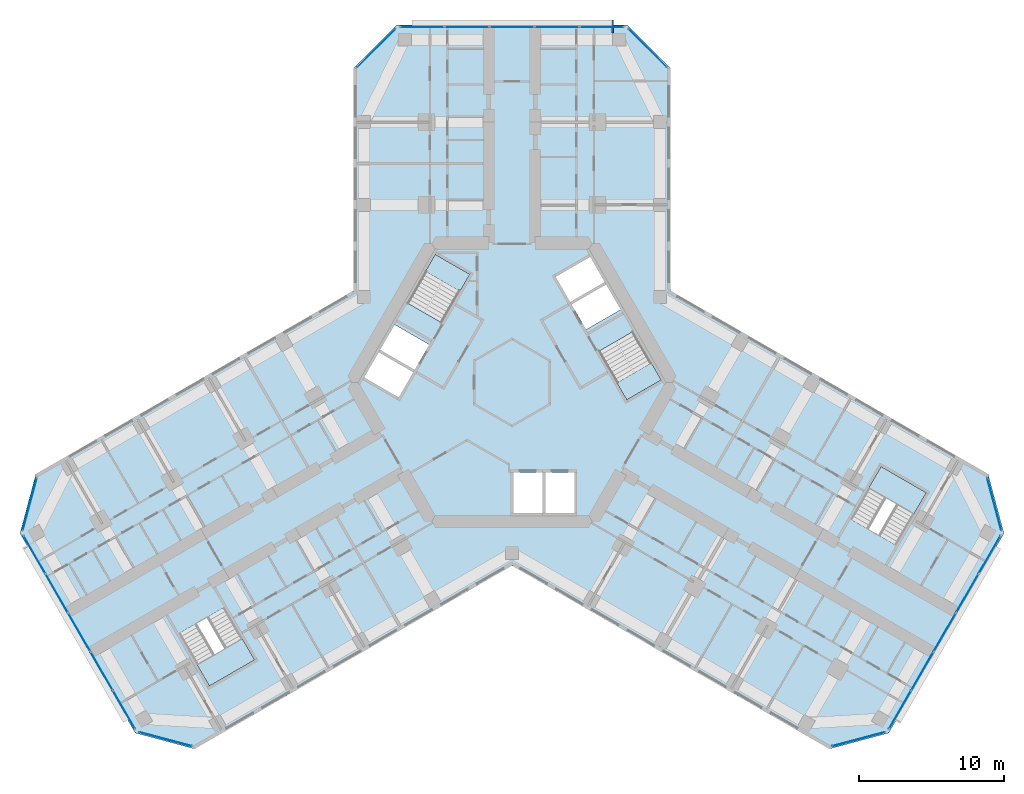
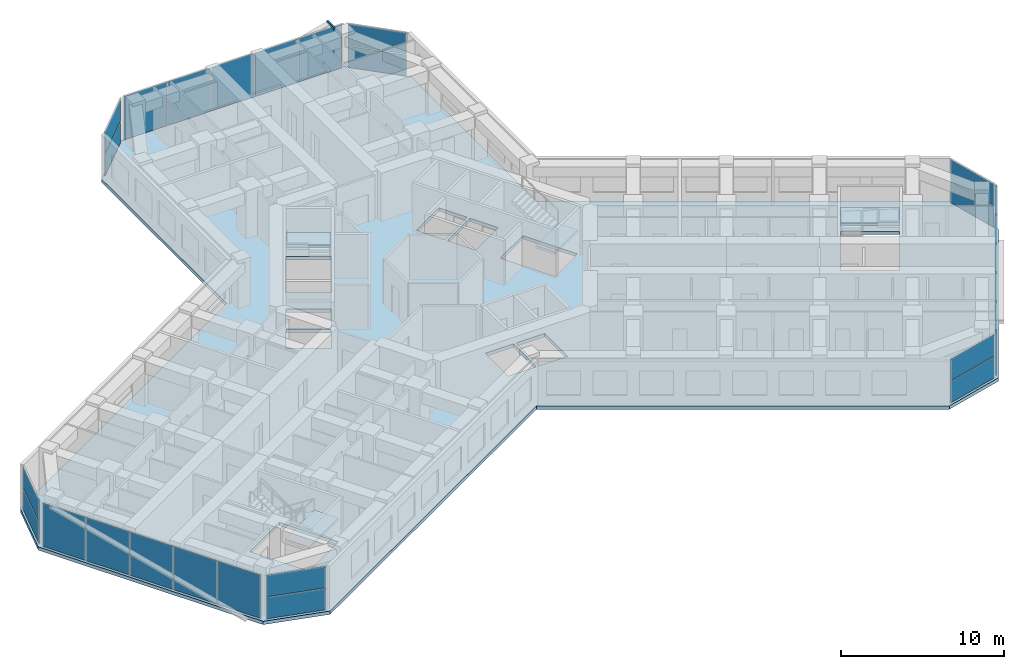
# One storey, part 9 of 19: 27 plates, 5 slabs, 1 member, 13 elements without a shape of their own.
"""IFC4 building model written with IfcOpenShell, lengths in metres."""

import ifcopenshell
import ifcopenshell.guid

model = None  # the IFC model being written
_history = None  # IfcOwnerHistory: only IFC2X3 demands one
_inside = {}  # id of a spatial element -> (the spatial element, [elements in it])
_under = {}  # id of a project, library or spatial element -> (it, [spatial elements below it])
_declared = {}  # id of a project -> (the project, [libraries it declares])
_typed = {}  # id of a type object -> (the type object, [elements of that type])
_made_of = {}  # id of a material, layer set ... -> (it, [elements and type objects made of it])


def new_model(schema):
    """Start an empty IFC model of exactly this schema.

    Asked for "IFC4X3", IfcOpenShell would pick the latest addendum, in which some entities
    have other attributes; the version numbers below select the first issue.
    IFC2X3 requires an IfcOwnerHistory on every rooted entity: one is made here for all.
    """
    global model, _history
    if schema == "IFC4X3":
        model = ifcopenshell.file(schema_version=(4, 3, 0, 0))
    else:
        model = ifcopenshell.file(schema=schema)
    _inside.clear()
    _under.clear()
    _declared.clear()
    _typed.clear()
    _made_of.clear()
    _history = None
    if model.schema == "IFC2X3":
        org = make("IfcOrganization", Name="unknown")
        user = make(
            "IfcPersonAndOrganization",
            ThePerson=make("IfcPerson", FamilyName="unknown"),
            TheOrganization=org,
        )
        app = make(
            "IfcApplication",
            ApplicationDeveloper=org,
            Version="unknown",
            ApplicationFullName="unknown",
            ApplicationIdentifier="unknown",
        )
        _history = make(
            "IfcOwnerHistory",
            OwningUser=user,
            OwningApplication=app,
            ChangeAction="ADDED",
            CreationDate=0,
        )
    return model


def make(cls, **values):
    """One entity of the class cls with the attributes given. An attribute that is None is left unset."""
    return model.create_entity(
        cls, **{name: value for name, value in values.items() if value is not None}
    )


def rooted(cls, **values):
    """An entity with a GlobalId (a new one), such as an element, a storey or a relation."""
    return make(cls, GlobalId=ifcopenshell.guid.new(), OwnerHistory=_history, **values)


def si_unit(unit_type, name, prefix=None):
    """IfcSIUnit, for example si_unit("LENGTHUNIT", "METRE", prefix="MILLI")."""
    return make("IfcSIUnit", UnitType=unit_type, Prefix=prefix, Name=name)


def assignment(units):
    """IfcUnitAssignment: the units of a project."""
    return None if units is None else make("IfcUnitAssignment", Units=units)


def point(xyz):
    """IfcCartesianPoint."""
    return None if xyz is None else make("IfcCartesianPoint", Coordinates=xyz)


def direction(xyz):
    """IfcDirection."""
    return None if xyz is None else make("IfcDirection", DirectionRatios=xyz)


def frame(location, z_axis=None, x_axis=None):
    """IfcAxis2Placement3D, a coordinate frame: its origin and axes. An axis left out is left unset."""
    return make(
        "IfcAxis2Placement3D",
        Location=point(location),
        Axis=direction(z_axis),
        RefDirection=direction(x_axis),
    )


def frame_2d(location, x_axis=None):
    """IfcAxis2Placement2D, a coordinate frame in the plane: its origin and x axis."""
    return make(
        "IfcAxis2Placement2D", Location=point(location), RefDirection=direction(x_axis)
    )


def origin():
    """The frame at (0, 0, 0) with its axes left unset."""
    return frame((0.0, 0.0, 0.0))


def origin_2d():
    """The frame at (0, 0) in the plane with its x axis left unset."""
    return frame_2d((0.0, 0.0))


def place(relative_to, where):
    """IfcLocalPlacement: puts the frame where relative to a parent placement (None: the world)."""
    return make(
        "IfcLocalPlacement", PlacementRelTo=relative_to, RelativePlacement=where
    )


def context(
    kind, dimensions, precision=None, world=None, true_north=None, identifier=None
):
    """IfcGeometricRepresentationContext, for example the 3D "Model" context."""
    return make(
        "IfcGeometricRepresentationContext",
        ContextIdentifier=identifier,
        ContextType=kind,
        CoordinateSpaceDimension=dimensions,
        Precision=precision,
        WorldCoordinateSystem=world,
        TrueNorth=true_north,
    )


def subcontext(parent, identifier, kind, view, scale=None):
    """IfcGeometricRepresentationSubContext, for example "Body" below "Model"."""
    return make(
        "IfcGeometricRepresentationSubContext",
        ContextIdentifier=identifier,
        ContextType=kind,
        ParentContext=parent,
        TargetScale=scale,
        TargetView=view,
    )


def project(units=None, contexts=None):
    """IfcProject with its units and contexts."""
    return rooted(
        "IfcProject",
        Name="project",
        RepresentationContexts=contexts,
        UnitsInContext=assignment(units),
    )


def spatial(cls, under=None, at=None, **own):
    """A site, building, storey or space (cls), placed at a placement, below another one or the project."""
    s = rooted(cls, ObjectPlacement=at, **own)
    if under is not None:
        _under.setdefault(under.id(), (under, []))[1].append(s)
    return s


def polyline(points):
    """IfcPolyline through the points."""
    return make("IfcPolyline", Points=[point(p) for p in points])


def profile(cls, at=None, kind="AREA", **sizes):
    """A parametric profile (cls). Its sizes go by their IFC names, for example OverallWidth=200.0."""
    return make(cls, ProfileType=kind, Position=at, **sizes)


def rectangle(**sizes):
    """IfcRectangleProfileDef."""
    return profile("IfcRectangleProfileDef", **sizes)


def hollow_rectangle(**sizes):
    """IfcRectangleHollowProfileDef."""
    return profile("IfcRectangleHollowProfileDef", **sizes)


def outline(outer, holes=None, kind="AREA"):
    """IfcArbitraryClosedProfileDef: a profile drawn as a closed curve; with holes, ...WithVoids."""
    if holes is None:
        return make("IfcArbitraryClosedProfileDef", ProfileType=kind, OuterCurve=outer)
    return make(
        "IfcArbitraryProfileDefWithVoids",
        ProfileType=kind,
        OuterCurve=outer,
        InnerCurves=holes,
    )


def extrude(swept, where, along, depth):
    """IfcExtrudedAreaSolid: the profile swept, set in the frame where, extruded along a direction by depth."""
    return make(
        "IfcExtrudedAreaSolid",
        SweptArea=swept,
        Position=where,
        ExtrudedDirection=direction(along),
        Depth=depth,
    )


def shape(context_of_items, identifier, shape_type, items):
    """IfcShapeRepresentation: the items that make up one representation, for example the "Body"."""
    return make(
        "IfcShapeRepresentation",
        ContextOfItems=context_of_items,
        RepresentationIdentifier=identifier,
        RepresentationType=shape_type,
        Items=items,
    )


def material(Name=None, Category=None):
    """IfcMaterial."""
    return make("IfcMaterial", Name=Name, Category=Category)


def layer(
    of_material, thickness, ventilated=None, Name=None, Category=None, Priority=None
):
    """IfcMaterialLayer: one layer of a wall or slab, of a material (None: an air gap)."""
    return make(
        "IfcMaterialLayer",
        Material=of_material,
        LayerThickness=thickness,
        IsVentilated=ventilated,
        Name=Name,
        Category=Category,
        Priority=Priority,
    )


def layer_set(layers, Name=None):
    """IfcMaterialLayerSet."""
    return make("IfcMaterialLayerSet", MaterialLayers=layers, LayerSetName=Name)


def material_profile(
    of_material, cross_section, Name=None, Category=None, Priority=None
):
    """IfcMaterialProfile: a cross section and its material."""
    return make(
        "IfcMaterialProfile",
        Name=Name,
        Material=of_material,
        Profile=cross_section,
        Priority=Priority,
        Category=Category,
    )


def profile_set(profiles, Name=None, composite=None):
    """IfcMaterialProfileSet."""
    return make(
        "IfcMaterialProfileSet",
        Name=Name,
        MaterialProfiles=profiles,
        CompositeProfile=composite,
    )


def made_of(thing, what):
    """Note that an element or type object is made of a material, layer set ...; save() writes the relation."""
    if what is not None:
        _made_of.setdefault(what.id(), (what, []))[1].append(thing)
    return thing


def type_object(cls, material=None, **own):
    """A type object (cls), such as IfcWallType, which elements share."""
    return made_of(rooted(cls, **own), material)


def element(
    cls,
    number,
    at=None,
    inside=None,
    cuts=None,
    type_object=None,
    material=None,
    context=None,
    identifier="Body",
    shape_type=None,
    held_by="IfcProductDefinitionShape",
    body=None,
    shapes=None,
    **own,
):
    """One element of the class cls, such as IfcWall. Its Tag is "e" and its number.

    at: its placement. inside: the storey or other place that contains it. cuts: it is an
    opening in that element (IfcRelVoidsElement). A single representation is given by context,
    identifier, shape_type and body (its items); several are given by shapes. held_by: the class
    of the entity that holds the representations. save() writes the other relations.
    """
    e = rooted(cls, Tag="e%d" % number, ObjectPlacement=at, **own)
    if body is not None:
        shapes = [shape(context, identifier, shape_type, body)]
    if shapes is not None:
        e.Representation = make(held_by, Representations=shapes)
    if inside is not None:
        _inside.setdefault(inside.id(), (inside, []))[1].append(e)
    if cuts is not None:
        rooted(
            "IfcRelVoidsElement", RelatingBuildingElement=cuts, RelatedOpeningElement=e
        )
    if type_object is not None:
        _typed.setdefault(type_object.id(), (type_object, []))[1].append(e)
    return made_of(e, material)


def aggregate(whole, parts):
    """IfcRelAggregates: a whole, such as a stair, and the parts it consists of."""
    return rooted("IfcRelAggregates", RelatingObject=whole, RelatedObjects=parts)


def save(model, path):
    """Write the relations noted so far, then the file.

    IfcRelAggregates (storeys below a building ...), IfcRelContainedInSpatialStructure (elements
    in a storey), IfcRelDefinesByType, IfcRelAssociatesMaterial and IfcRelDeclares: one each for
    every whole, place, type object, material and project.
    """
    for whole, parts in _under.values():
        aggregate(whole, parts)
    for where, things in _inside.values():
        rooted(
            "IfcRelContainedInSpatialStructure",
            RelatedElements=things,
            RelatingStructure=where,
        )
    for kind, things in _typed.values():
        rooted("IfcRelDefinesByType", RelatedObjects=things, RelatingType=kind)
    for what, things in _made_of.values():
        rooted("IfcRelAssociatesMaterial", RelatedObjects=things, RelatingMaterial=what)
    for by, libraries in _declared.values():
        rooted("IfcRelDeclares", RelatingContext=by, RelatedDefinitions=libraries)
    model.write(path)


model = new_model("IFC4")

# Units and contexts
model_context = context("Model", 3, precision=1e-05, world=origin(), true_north=direction((0.0, 1.0)))
body_context = subcontext(model_context, "Body", "Model", "MODEL_VIEW")
ifc_project = project(units=[si_unit("LENGTHUNIT", "METRE"), si_unit("AREAUNIT", "SQUARE_METRE"), si_unit("VOLUMEUNIT", "CUBIC_METRE"), si_unit("PLANEANGLEUNIT", "RADIAN"), si_unit("MASSUNIT", "GRAM", prefix="KILO")], contexts=[model_context])

# Site, building, storey
site_placement = place(None, origin())
site = spatial("IfcSite", under=ifc_project, at=site_placement, CompositionType="ELEMENT")
building_placement = place(site_placement, origin())
building = spatial("IfcBuilding", under=site, at=building_placement, Name="Kosmar Iwan School Tower", CompositionType="ELEMENT")
storey_placement = place(building_placement, frame((0.0, 0.0, 134.60009765625)))
storey = spatial("IfcBuildingStorey", under=building, at=storey_placement, Name="L33", CompositionType="ELEMENT", Elevation=134.60009765625)

# Member
ifc_material_1 = material(Name="Steel S355", Category="steel")
ifc_material_profile = material_profile(ifc_material_1, hollow_rectangle(XDim=0.10009765625, YDim=0.199951171875, WallThickness=0.008056640625, at=origin_2d()), Name="RHS 200x100x8")
ifc_profile_set = profile_set([ifc_material_profile], Name="Steel S355")
member_type = type_object("IfcMemberType", Name="Fin bracket RHS 200x100", PredefinedType="USERDEFINED", material=ifc_profile_set)
member_placement = place(storey_placement, frame((6.949951171875, 24.10009765625, 3.474853515625), z_axis=(0.0, 1.0, 0.0), x_axis=(-1.0, 0.0, 0.0)))
element("IfcMember", 1, at=member_placement, inside=storey, type_object=member_type, Name="Fin bracket L34", ObjectType="FIN BRACKET", PredefinedType="USERDEFINED", context=body_context, shape_type="SweptSolid", body=[
    extrude(hollow_rectangle(XDim=0.10009765625, YDim=0.199951171875, WallThickness=0.008056640625, at=origin_2d()), origin(), (0.0, 0.0, 1.0), 0.89990234375),
])

# Curtain wall, plates
ifc_material_2 = material(Name="Dark glass in black aluminium frame", Category="aluminium")
curtain_wall_type_1 = type_object("IfcCurtainWallType", Name="Chamfer curtain wall dark glass", PredefinedType="USERDEFINED", material=ifc_material_2)
curtain_wall_1_placement = place(storey_placement, origin())
curtain_wall_1 = element("IfcCurtainWall", 2, at=curtain_wall_1_placement, inside=storey, type_object=curtain_wall_type_1, Name="Curtain wall L33-F02", ObjectType="FACETED CURTAIN WALL", PredefinedType="USERDEFINED")
ifc_material_3 = material(Name="Dark glass", Category="glass")
ifc_layer_1 = layer(ifc_material_3, 0.028076171875)
ifc_layer_set_1 = layer_set([ifc_layer_1], Name="Dark glass panel 28")
plate_type = type_object("IfcPlateType", Name="Dark glass panel 28", PredefinedType="CURTAIN_PANEL", material=ifc_layer_set_1)
plate_1_placement = place(storey_placement, frame((23.908203125, -24.61328125, 0.059814453125), z_axis=(0.0, 0.0, 1.0), x_axis=(0.965925875495, 0.258818861462, 0.0)))
plate_1 = element("IfcPlate", 3, at=plate_1_placement, type_object=plate_type, Name="CW2 panel 1.1", PredefinedType="CURTAIN_PANEL", context=body_context, shape_type="SweptSolid", body=[
    extrude(rectangle(XDim=3.718994140625, YDim=0.028076171875, at=origin_2d()), origin(), (0.0, 0.0, 1.0), 1.5849609375),
])
plate_2_placement = place(storey_placement, frame((23.908203125, -24.61328125, 1.704833984375), z_axis=(0.0, 0.0, 1.0), x_axis=(0.965925875495, 0.258818861462, 0.0)))
plate_2 = element("IfcPlate", 4, at=plate_2_placement, type_object=plate_type, Name="CW2 panel 1.2", PredefinedType="CURTAIN_PANEL", context=body_context, shape_type="SweptSolid", body=[
    extrude(rectangle(XDim=3.718994140625, YDim=0.028076171875, at=origin_2d()), origin(), (0.0, 0.0, 1.0), 1.5849609375),
])
aggregate(curtain_wall_1, [plate_1, plate_2])

ifc_material_4 = material(Name="Dark glass in black aluminium frame", Category="aluminium")
curtain_wall_type_2 = type_object("IfcCurtainWallType", Name="Tower curtain wall dark glass", PredefinedType="USERDEFINED", material=ifc_material_4)
curtain_wall_2_placement = place(storey_placement, origin())
curtain_wall_2 = element("IfcCurtainWall", 5, at=curtain_wall_2_placement, inside=storey, type_object=curtain_wall_type_2, Name="Curtain wall L33-F03", ObjectType="UNITISED CURTAIN WALL", PredefinedType="USERDEFINED")
plate_3_placement = place(storey_placement, frame((26.764404296875, -22.592529296875, 0.059814453125), z_axis=(0.0, 0.0, 1.0), x_axis=(0.499999997325, 0.866025405329, 0.0)))
plate_3 = element("IfcPlate", 6, at=plate_3_placement, type_object=plate_type, Name="CW1 panel 1.1", PredefinedType="CURTAIN_PANEL", context=body_context, shape_type="SweptSolid", body=[
    extrude(rectangle(XDim=3.00927734375, YDim=0.028076171875, at=origin_2d()), origin(), (0.0, 0.0, 1.0), 3.22998046875),
])
plate_4_placement = place(storey_placement, frame((28.306640625, -19.921630859375, 0.059814453125), z_axis=(0.0, 0.0, 1.0), x_axis=(0.499999997325, 0.866025405329, 0.0)))
plate_4 = element("IfcPlate", 7, at=plate_4_placement, type_object=plate_type, Name="CW1 panel 2.1", PredefinedType="CURTAIN_PANEL", context=body_context, shape_type="SweptSolid", body=[
    extrude(rectangle(XDim=3.039306640625, YDim=0.028076171875, at=origin_2d()), origin(), (0.0, 0.0, 1.0), 3.22998046875),
])
plate_5_placement = place(storey_placement, frame((29.856201171875, -17.237548828125, 0.059814453125), z_axis=(0.0, 0.0, 1.0), x_axis=(0.499999997325, 0.866025405329, 0.0)))
plate_5 = element("IfcPlate", 8, at=plate_5_placement, type_object=plate_type, Name="CW1 panel 3.1", PredefinedType="CURTAIN_PANEL", context=body_context, shape_type="SweptSolid", body=[
    extrude(rectangle(XDim=3.039306640625, YDim=0.028076171875, at=origin_2d()), origin(), (0.0, 0.0, 1.0), 3.22998046875),
])
plate_6_placement = place(storey_placement, frame((31.40576171875, -14.553466796875, 0.059814453125), z_axis=(0.0, 0.0, 1.0), x_axis=(0.499999997325, 0.866025405329, 0.0)))
plate_6 = element("IfcPlate", 9, at=plate_6_placement, type_object=plate_type, Name="CW1 panel 4.1", PredefinedType="CURTAIN_PANEL", context=body_context, shape_type="SweptSolid", body=[
    extrude(rectangle(XDim=3.039306640625, YDim=0.028076171875, at=origin_2d()), origin(), (0.0, 0.0, 1.0), 3.22998046875),
])
plate_7_placement = place(storey_placement, frame((32.947998046875, -11.88232421875, 0.059814453125), z_axis=(0.0, 0.0, 1.0), x_axis=(0.499999997325, 0.866025405329, 0.0)))
plate_7 = element("IfcPlate", 10, at=plate_7_placement, type_object=plate_type, Name="CW1 panel 5.1", PredefinedType="CURTAIN_PANEL", context=body_context, shape_type="SweptSolid", body=[
    extrude(rectangle(XDim=3.00927734375, YDim=0.028076171875, at=origin_2d()), origin(), (0.0, 0.0, 1.0), 3.22998046875),
])
aggregate(curtain_wall_2, [plate_3, plate_4, plate_5, plate_6, plate_7])

curtain_wall_3_placement = place(storey_placement, origin())
curtain_wall_3 = element("IfcCurtainWall", 11, at=curtain_wall_3_placement, inside=storey, type_object=curtain_wall_type_1, Name="Curtain wall L33-F04", ObjectType="FACETED CURTAIN WALL", PredefinedType="USERDEFINED")
plate_8_placement = place(storey_placement, frame((33.269775390625, -8.3984375, 0.059814453125), z_axis=(0.0, 0.0, 1.0), x_axis=(-0.258818861462, 0.965925875495, 0.0)))
plate_8 = element("IfcPlate", 12, at=plate_8_placement, type_object=plate_type, Name="CW2 panel 1.1", PredefinedType="CURTAIN_PANEL", context=body_context, shape_type="SweptSolid", body=[
    extrude(rectangle(XDim=3.718994140625, YDim=0.028076171875, at=origin_2d()), origin(), (0.0, 0.0, 1.0), 1.5849609375),
])
plate_9_placement = place(storey_placement, frame((33.269775390625, -8.3984375, 1.704833984375), z_axis=(0.0, 0.0, 1.0), x_axis=(-0.258818861462, 0.965925875495, 0.0)))
plate_9 = element("IfcPlate", 13, at=plate_9_placement, type_object=plate_type, Name="CW2 panel 1.2", PredefinedType="CURTAIN_PANEL", context=body_context, shape_type="SweptSolid", body=[
    extrude(rectangle(XDim=3.718994140625, YDim=0.028076171875, at=origin_2d()), origin(), (0.0, 0.0, 1.0), 1.5849609375),
])
aggregate(curtain_wall_3, [plate_8, plate_9])

curtain_wall_4_placement = place(storey_placement, origin())
curtain_wall_4 = element("IfcCurtainWall", 14, at=curtain_wall_4_placement, inside=storey, type_object=curtain_wall_type_1, Name="Curtain wall L33-F07", ObjectType="FACETED CURTAIN WALL", PredefinedType="USERDEFINED")
plate_10_placement = place(storey_placement, frame((9.361572265625, 23.0615234375, 0.059814453125), z_axis=(0.0, 0.0, 1.0), x_axis=(-0.707106781187, 0.707106781187, 0.0)))
plate_10 = element("IfcPlate", 15, at=plate_10_placement, type_object=plate_type, Name="CW2 panel 1.1", PredefinedType="CURTAIN_PANEL", context=body_context, shape_type="SweptSolid", body=[
    extrude(rectangle(XDim=3.718994140625, YDim=0.028076171875, at=origin_2d()), origin(), (0.0, 0.0, 1.0), 1.5849609375),
])
plate_11_placement = place(storey_placement, frame((9.361572265625, 23.0615234375, 1.704833984375), z_axis=(0.0, 0.0, 1.0), x_axis=(-0.707106781187, 0.707106781187, 0.0)))
plate_11 = element("IfcPlate", 16, at=plate_11_placement, type_object=plate_type, Name="CW2 panel 1.2", PredefinedType="CURTAIN_PANEL", context=body_context, shape_type="SweptSolid", body=[
    extrude(rectangle(XDim=3.718994140625, YDim=0.028076171875, at=origin_2d()), origin(), (0.0, 0.0, 1.0), 1.5849609375),
])
aggregate(curtain_wall_4, [plate_10, plate_11])

curtain_wall_5_placement = place(storey_placement, origin())
curtain_wall_5 = element("IfcCurtainWall", 17, at=curtain_wall_5_placement, inside=storey, type_object=curtain_wall_type_2, Name="Curtain wall L33-F08", ObjectType="UNITISED CURTAIN WALL", PredefinedType="USERDEFINED")
plate_12_placement = place(storey_placement, frame((6.18359375, 24.52490234375, 0.059814453125), z_axis=(0.0, 0.0, 1.0), x_axis=(-1.0, 0.0, 0.0)))
plate_12 = element("IfcPlate", 18, at=plate_12_placement, type_object=plate_type, Name="CW1 panel 1.1", PredefinedType="CURTAIN_PANEL", context=body_context, shape_type="SweptSolid", body=[
    extrude(rectangle(XDim=3.00927734375, YDim=0.028076171875, at=origin_2d()), origin(), (0.0, 0.0, 1.0), 3.22998046875),
])
plate_13_placement = place(storey_placement, frame((3.099365234375, 24.52490234375, 0.059814453125), z_axis=(0.0, 0.0, 1.0), x_axis=(-1.0, 0.0, 0.0)))
plate_13 = element("IfcPlate", 19, at=plate_13_placement, type_object=plate_type, Name="CW1 panel 2.1", PredefinedType="CURTAIN_PANEL", context=body_context, shape_type="SweptSolid", body=[
    extrude(rectangle(XDim=3.039306640625, YDim=0.028076171875, at=origin_2d()), origin(), (0.0, 0.0, 1.0), 3.22998046875),
])
plate_14_placement = place(storey_placement, frame((0.0, 24.52490234375, 0.059814453125), z_axis=(0.0, 0.0, 1.0), x_axis=(-1.0, 0.0, 0.0)))
plate_14 = element("IfcPlate", 20, at=plate_14_placement, type_object=plate_type, Name="CW1 panel 3.1", PredefinedType="CURTAIN_PANEL", context=body_context, shape_type="SweptSolid", body=[
    extrude(rectangle(XDim=3.039306640625, YDim=0.028076171875, at=origin_2d()), origin(), (0.0, 0.0, 1.0), 3.22998046875),
])
plate_15_placement = place(storey_placement, frame((-3.099365234375, 24.52490234375, 0.059814453125), z_axis=(0.0, 0.0, 1.0), x_axis=(-1.0, 0.0, 0.0)))
plate_15 = element("IfcPlate", 21, at=plate_15_placement, type_object=plate_type, Name="CW1 panel 4.1", PredefinedType="CURTAIN_PANEL", context=body_context, shape_type="SweptSolid", body=[
    extrude(rectangle(XDim=3.039306640625, YDim=0.028076171875, at=origin_2d()), origin(), (0.0, 0.0, 1.0), 3.22998046875),
])
plate_16_placement = place(storey_placement, frame((-6.18359375, 24.52490234375, 0.059814453125), z_axis=(0.0, 0.0, 1.0), x_axis=(-1.0, 0.0, 0.0)))
plate_16 = element("IfcPlate", 22, at=plate_16_placement, type_object=plate_type, Name="CW1 panel 5.1", PredefinedType="CURTAIN_PANEL", context=body_context, shape_type="SweptSolid", body=[
    extrude(rectangle(XDim=3.00927734375, YDim=0.028076171875, at=origin_2d()), origin(), (0.0, 0.0, 1.0), 3.22998046875),
])
aggregate(curtain_wall_5, [plate_12, plate_13, plate_14, plate_15, plate_16])

curtain_wall_6_placement = place(storey_placement, origin())
curtain_wall_6 = element("IfcCurtainWall", 23, at=curtain_wall_6_placement, inside=storey, type_object=curtain_wall_type_1, Name="Curtain wall L33-F09", ObjectType="FACETED CURTAIN WALL", PredefinedType="USERDEFINED")
plate_17_placement = place(storey_placement, frame((-9.361572265625, 23.0615234375, 0.059814453125), z_axis=(0.0, 0.0, 1.0), x_axis=(-0.707106781187, -0.707106781187, 0.0)))
plate_17 = element("IfcPlate", 24, at=plate_17_placement, type_object=plate_type, Name="CW2 panel 1.1", PredefinedType="CURTAIN_PANEL", context=body_context, shape_type="SweptSolid", body=[
    extrude(rectangle(XDim=3.718994140625, YDim=0.028076171875, at=origin_2d()), origin(), (0.0, 0.0, 1.0), 1.5849609375),
])
plate_18_placement = place(storey_placement, frame((-9.361572265625, 23.0615234375, 1.704833984375), z_axis=(0.0, 0.0, 1.0), x_axis=(-0.707106781187, -0.707106781187, 0.0)))
plate_18 = element("IfcPlate", 25, at=plate_18_placement, type_object=plate_type, Name="CW2 panel 1.2", PredefinedType="CURTAIN_PANEL", context=body_context, shape_type="SweptSolid", body=[
    extrude(rectangle(XDim=3.718994140625, YDim=0.028076171875, at=origin_2d()), origin(), (0.0, 0.0, 1.0), 1.5849609375),
])
aggregate(curtain_wall_6, [plate_17, plate_18])

curtain_wall_7_placement = place(storey_placement, origin())
curtain_wall_7 = element("IfcCurtainWall", 26, at=curtain_wall_7_placement, inside=storey, type_object=curtain_wall_type_1, Name="Curtain wall L33-F12", ObjectType="FACETED CURTAIN WALL", PredefinedType="USERDEFINED")
plate_19_placement = place(storey_placement, frame((-33.269775390625, -8.3984375, 0.059814453125), z_axis=(0.0, 0.0, 1.0), x_axis=(-0.258818861462, -0.965925875495, 0.0)))
plate_19 = element("IfcPlate", 27, at=plate_19_placement, type_object=plate_type, Name="CW2 panel 1.1", PredefinedType="CURTAIN_PANEL", context=body_context, shape_type="SweptSolid", body=[
    extrude(rectangle(XDim=3.718994140625, YDim=0.028076171875, at=origin_2d()), origin(), (0.0, 0.0, 1.0), 1.5849609375),
])
plate_20_placement = place(storey_placement, frame((-33.269775390625, -8.3984375, 1.704833984375), z_axis=(0.0, 0.0, 1.0), x_axis=(-0.258818861462, -0.965925875495, 0.0)))
plate_20 = element("IfcPlate", 28, at=plate_20_placement, type_object=plate_type, Name="CW2 panel 1.2", PredefinedType="CURTAIN_PANEL", context=body_context, shape_type="SweptSolid", body=[
    extrude(rectangle(XDim=3.718994140625, YDim=0.028076171875, at=origin_2d()), origin(), (0.0, 0.0, 1.0), 1.5849609375),
])
aggregate(curtain_wall_7, [plate_19, plate_20])

curtain_wall_8_placement = place(storey_placement, origin())
curtain_wall_8 = element("IfcCurtainWall", 29, at=curtain_wall_8_placement, inside=storey, type_object=curtain_wall_type_2, Name="Curtain wall L33-F13", ObjectType="UNITISED CURTAIN WALL", PredefinedType="USERDEFINED")
plate_21_placement = place(storey_placement, frame((-32.947998046875, -11.88232421875, 0.059814453125), z_axis=(0.0, 0.0, 1.0), x_axis=(0.499999997325, -0.866025405329, 0.0)))
plate_21 = element("IfcPlate", 30, at=plate_21_placement, type_object=plate_type, Name="CW1 panel 1.1", PredefinedType="CURTAIN_PANEL", context=body_context, shape_type="SweptSolid", body=[
    extrude(rectangle(XDim=3.00927734375, YDim=0.028076171875, at=origin_2d()), origin(), (0.0, 0.0, 1.0), 3.22998046875),
])
plate_22_placement = place(storey_placement, frame((-31.40576171875, -14.553466796875, 0.059814453125), z_axis=(0.0, 0.0, 1.0), x_axis=(0.499999997325, -0.866025405329, 0.0)))
plate_22 = element("IfcPlate", 31, at=plate_22_placement, type_object=plate_type, Name="CW1 panel 2.1", PredefinedType="CURTAIN_PANEL", context=body_context, shape_type="SweptSolid", body=[
    extrude(rectangle(XDim=3.039306640625, YDim=0.028076171875, at=origin_2d()), origin(), (0.0, 0.0, 1.0), 3.22998046875),
])
plate_23_placement = place(storey_placement, frame((-29.856201171875, -17.237548828125, 0.059814453125), z_axis=(0.0, 0.0, 1.0), x_axis=(0.499999997325, -0.866025405329, 0.0)))
plate_23 = element("IfcPlate", 32, at=plate_23_placement, type_object=plate_type, Name="CW1 panel 3.1", PredefinedType="CURTAIN_PANEL", context=body_context, shape_type="SweptSolid", body=[
    extrude(rectangle(XDim=3.039306640625, YDim=0.028076171875, at=origin_2d()), origin(), (0.0, 0.0, 1.0), 3.22998046875),
])
plate_24_placement = place(storey_placement, frame((-28.306640625, -19.921630859375, 0.059814453125), z_axis=(0.0, 0.0, 1.0), x_axis=(0.499999997325, -0.866025405329, 0.0)))
plate_24 = element("IfcPlate", 33, at=plate_24_placement, type_object=plate_type, Name="CW1 panel 4.1", PredefinedType="CURTAIN_PANEL", context=body_context, shape_type="SweptSolid", body=[
    extrude(rectangle(XDim=3.039306640625, YDim=0.028076171875, at=origin_2d()), origin(), (0.0, 0.0, 1.0), 3.22998046875),
])
plate_25_placement = place(storey_placement, frame((-26.764404296875, -22.592529296875, 0.059814453125), z_axis=(0.0, 0.0, 1.0), x_axis=(0.499999997325, -0.866025405329, 0.0)))
plate_25 = element("IfcPlate", 34, at=plate_25_placement, type_object=plate_type, Name="CW1 panel 5.1", PredefinedType="CURTAIN_PANEL", context=body_context, shape_type="SweptSolid", body=[
    extrude(rectangle(XDim=3.00927734375, YDim=0.028076171875, at=origin_2d()), origin(), (0.0, 0.0, 1.0), 3.22998046875),
])
aggregate(curtain_wall_8, [plate_21, plate_22, plate_23, plate_24, plate_25])

curtain_wall_9_placement = place(storey_placement, origin())
curtain_wall_9 = element("IfcCurtainWall", 35, at=curtain_wall_9_placement, inside=storey, type_object=curtain_wall_type_1, Name="Curtain wall L33-F14", ObjectType="FACETED CURTAIN WALL", PredefinedType="USERDEFINED")
plate_26_placement = place(storey_placement, frame((-23.908203125, -24.61328125, 0.059814453125), z_axis=(0.0, 0.0, 1.0), x_axis=(0.965925875495, -0.258818861462, 0.0)))
plate_26 = element("IfcPlate", 36, at=plate_26_placement, type_object=plate_type, Name="CW2 panel 1.1", PredefinedType="CURTAIN_PANEL", context=body_context, shape_type="SweptSolid", body=[
    extrude(rectangle(XDim=3.718994140625, YDim=0.028076171875, at=origin_2d()), origin(), (0.0, 0.0, 1.0), 1.5849609375),
])
plate_27_placement = place(storey_placement, frame((-23.908203125, -24.61328125, 1.704833984375), z_axis=(0.0, 0.0, 1.0), x_axis=(0.965925875495, -0.258818861462, 0.0)))
plate_27 = element("IfcPlate", 37, at=plate_27_placement, type_object=plate_type, Name="CW2 panel 1.2", PredefinedType="CURTAIN_PANEL", context=body_context, shape_type="SweptSolid", body=[
    extrude(rectangle(XDim=3.718994140625, YDim=0.028076171875, at=origin_2d()), origin(), (0.0, 0.0, 1.0), 1.5849609375),
])
aggregate(curtain_wall_9, [plate_26, plate_27])

# Stair, slab
ifc_material_5 = material(Name="Concrete C35/45", Category="concrete")
stair_type_1 = type_object("IfcStairType", Name="Escape stair 3600", PredefinedType="HALF_TURN_STAIR", material=ifc_material_5)
stair_1_placement = place(storey_placement, origin())
stair_1 = element("IfcStair", 38, at=stair_1_placement, inside=storey, type_object=stair_type_1, Name="Stair WS2 L33", PredefinedType="HALF_TURN_STAIR")
ifc_material_6 = material(Name="Concrete C35/45", Category="concrete")
ifc_layer_2 = layer(ifc_material_6, 0.199951171875)
ifc_layer_set_2 = layer_set([ifc_layer_2], Name="Escape stair landing 200")
slab_type_1 = type_object("IfcSlabType", Name="Escape stair landing 200", PredefinedType="LANDING", material=ifc_layer_set_2)
slab_1_placement = place(storey_placement, frame((0.0, 0.0, 1.599853515625)))
slab_1 = element("IfcSlab", 39, at=slab_1_placement, type_object=slab_type_1, Name="WS2 landing 1", PredefinedType="LANDING", context=body_context, shape_type="SweptSolid", body=[
    extrude(outline(polyline([(-18.607421875, -17.671142578125), (-21.72509765625, -19.47119140625), (-20.875, -20.943359375), (-17.75732421875, -19.143310546875), (-18.607421875, -17.671142578125)])), origin(), (0.0, 0.0, 1.0), 0.199951171875),
])
aggregate(stair_1, [slab_1])

stair_2_placement = place(storey_placement, origin())
stair_2 = element("IfcStair", 40, at=stair_2_placement, inside=storey, type_object=stair_type_1, Name="Stair WS3 L33", PredefinedType="HALF_TURN_STAIR")
slab_2_placement = place(storey_placement, frame((0.0, 0.0, 1.599853515625)))
slab_2 = element("IfcSlab", 41, at=slab_2_placement, type_object=slab_type_1, Name="WS3 landing 1", PredefinedType="LANDING", context=body_context, shape_type="SweptSolid", body=[
    extrude(outline(polyline([(24.607421875, -7.27880859375), (27.72509765625, -9.078857421875), (28.574951171875, -7.606689453125), (25.457275390625, -5.806640625), (24.607421875, -7.27880859375)])), origin(), (0.0, 0.0, 1.0), 0.199951171875),
])
aggregate(stair_2, [slab_2])

# Slab
ifc_material_7 = material(Name="Concrete C35/45", Category="concrete")
ifc_layer_3 = layer(ifc_material_7, 0.25)
ifc_layer_set_3 = layer_set([ifc_layer_3], Name="Floor slab 250")
slab_type_2 = type_object("IfcSlabType", Name="Floor slab 250", PredefinedType="FLOOR", material=ifc_layer_set_3)
slab_3_placement = place(storey_placement, frame((0.0, 0.0, -0.25)))
element("IfcSlab", 42, at=slab_3_placement, inside=storey, type_object=slab_type_2, Name="L33 floor slab", PredefinedType="FLOOR", context=body_context, shape_type="SweptSolid", body=[
    extrude(outline(polyline([(-21.891357421875, -25.282958984375), (0.0, -12.64404296875), (21.891357421875, -25.282958984375), (25.989501953125, -24.184814453125), (33.939453125, -10.4150390625), (32.84130859375, -6.317138671875), (10.949951171875, 6.322021484375), (10.949951171875, 21.64990234375), (7.949951171875, 24.64990234375), (-7.949951171875, 24.64990234375), (-10.949951171875, 21.64990234375), (-10.949951171875, 6.322021484375), (-32.84130859375, -6.317138671875), (-33.939453125, -10.4150390625), (-25.989501953125, -24.184814453125), (-21.891357421875, -25.282958984375)]), holes=[polyline([(7.91259765625, -1.205078125), (10.294189453125, 0.169921875), (8.3642578125, 3.5126953125), (5.982666015625, 2.1376953125), (7.91259765625, -1.205078125)]), polyline([(-2.91259765625, 7.455078125), (-5.294189453125, 8.830078125), (-7.22412109375, 5.4873046875), (-4.8427734375, 4.1123046875), (-2.91259765625, 7.455078125)]), polyline([(-5.712646484375, 2.60546875), (-8.09423828125, 3.98046875), (-9.09423828125, 2.248291015625), (-6.712646484375, 0.873291015625), (-5.712646484375, 2.60546875)]), polyline([(-6.812744140625, 0.7001953125), (-9.1943359375, 2.0751953125), (-10.1943359375, 0.343017578125), (-7.812744140625, -1.031982421875), (-6.812744140625, 0.7001953125)]), polyline([(5.112548828125, 3.64453125), (7.494140625, 5.01953125), (6.494140625, 6.751708984375), (4.112548828125, 5.376708984375), (5.112548828125, 3.64453125)]), polyline([(4.0126953125, 5.5498046875), (6.394287109375, 6.9248046875), (5.394287109375, 8.656982421875), (3.0126953125, 7.281982421875), (4.0126953125, 5.5498046875)]), polyline([(0.10009765625, -6.199951171875), (0.10009765625, -9.0), (2.10009765625, -9.0), (2.10009765625, -6.199951171875), (0.10009765625, -6.199951171875)]), polyline([(2.300048828125, -6.199951171875), (2.300048828125, -9.0), (4.300048828125, -9.0), (4.300048828125, -6.199951171875), (2.300048828125, -6.199951171875)]), polyline([(-19.847412109375, -15.5234375), (-22.965087890625, -17.323486328125), (-20.875, -20.943359375), (-17.75732421875, -19.143310546875), (-19.847412109375, -15.5234375)]), polyline([(23.367431640625, -9.426513671875), (26.485107421875, -11.2265625), (28.574951171875, -7.606689453125), (25.457275390625, -5.806640625), (23.367431640625, -9.426513671875)])]), origin(), (0.0, 0.0, 1.0), 0.25),
])

# Stair, slab
ifc_material_8 = material(Name="Concrete C35/45", Category="concrete")
stair_type_2 = type_object("IfcStairType", Name="Core stair 2750", PredefinedType="HALF_TURN_STAIR", material=ifc_material_8)
stair_3_placement = place(storey_placement, origin())
stair_3 = element("IfcStair", 43, at=stair_3_placement, inside=storey, type_object=stair_type_2, Name="Stair ST2 L33", PredefinedType="HALF_TURN_STAIR")
ifc_material_9 = material(Name="Concrete C35/45", Category="concrete")
ifc_layer_4 = layer(ifc_material_9, 0.199951171875)
ifc_layer_set_4 = layer_set([ifc_layer_4], Name="Stair landing 200")
slab_type_3 = type_object("IfcSlabType", Name="Stair landing 200", PredefinedType="LANDING", material=ifc_layer_set_4)
slab_4_placement = place(storey_placement, frame((0.0, 0.0, 1.599853515625)))
slab_4 = element("IfcSlab", 44, at=slab_4_placement, type_object=slab_type_3, Name="ST2 landing 1", PredefinedType="LANDING", context=body_context, shape_type="SweptSolid", body=[
    extrude(outline(polyline([(-2.91259765625, 7.455078125), (-5.294189453125, 8.830078125), (-5.97412109375, 7.65234375), (-3.5927734375, 6.27734375), (-2.91259765625, 7.455078125)])), origin(), (0.0, 0.0, 1.0), 0.199951171875),
])
aggregate(stair_3, [slab_4])

stair_4_placement = place(storey_placement, origin())
stair_4 = element("IfcStair", 45, at=stair_4_placement, inside=storey, type_object=stair_type_2, Name="Stair ST1 L33", PredefinedType="HALF_TURN_STAIR")
slab_5_placement = place(storey_placement, frame((0.0, 0.0, 1.599853515625)))
slab_5 = element("IfcSlab", 46, at=slab_5_placement, type_object=slab_type_3, Name="ST1 landing 1", PredefinedType="LANDING", context=body_context, shape_type="SweptSolid", body=[
    extrude(outline(polyline([(7.91259765625, -1.205078125), (10.294189453125, 0.169921875), (9.6142578125, 1.34765625), (7.232666015625, -0.02734375), (7.91259765625, -1.205078125)])), origin(), (0.0, 0.0, 1.0), 0.199951171875),
])
aggregate(stair_4, [slab_5])

save(model, "model.ifc")
